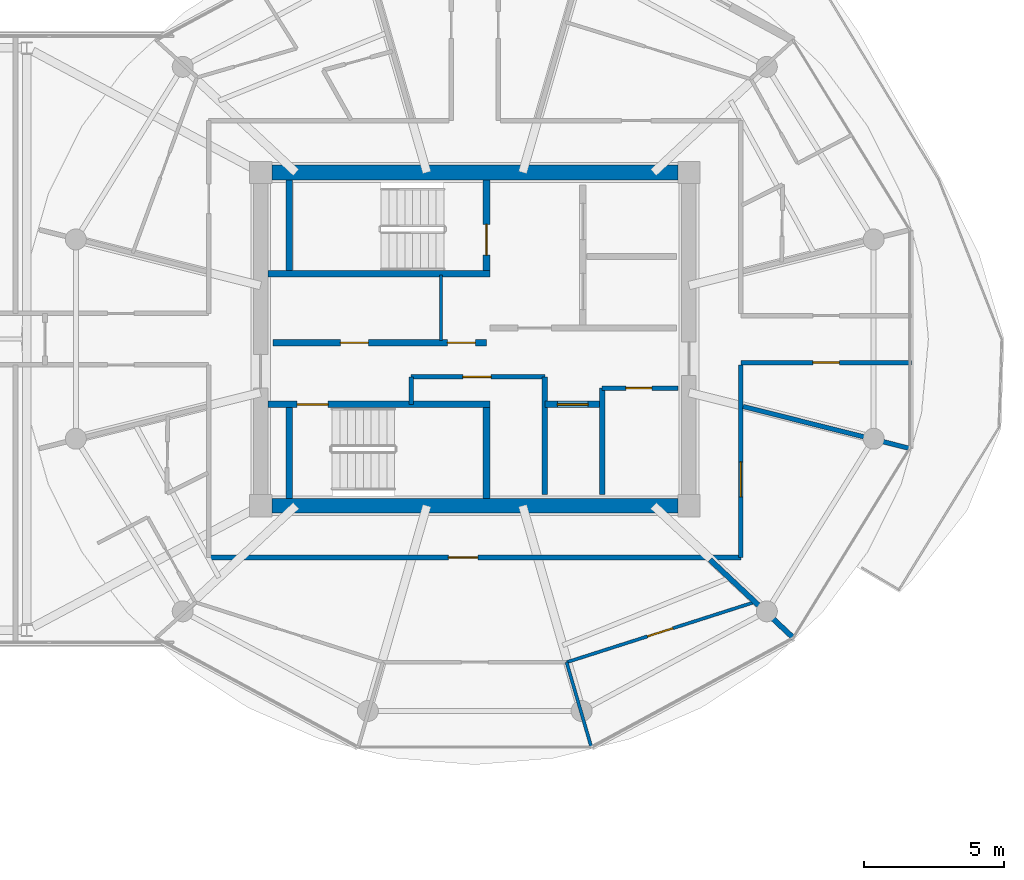
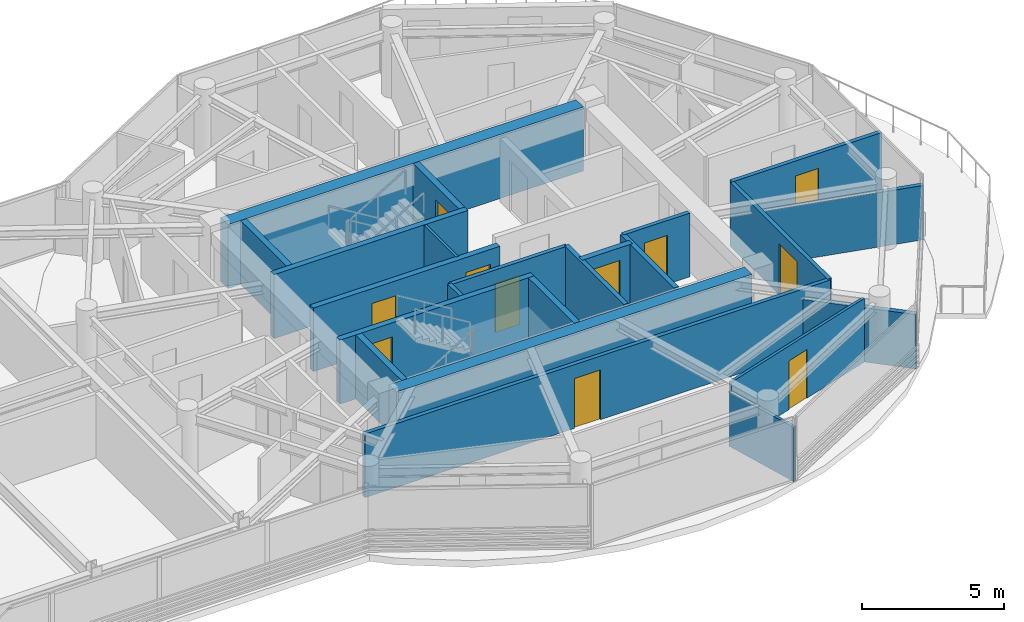
# One storey, part 17 of 23: 23 walls, 11 doors, 11 openings.
"""IFC4 building model written with IfcOpenShell, lengths in metres."""

from ifc_helpers import new_model, si_unit, direction, frame, frame_2d, origin, place, context, subcontext, project, spatial, rectangle, extrude, source, transform, mapped, material, layer, layer_set, type_object, type_shapes, element, fill, save


model = new_model("IFC4")

# Units and contexts
model_context = context("Model", 3, precision=1e-05, world=origin(), true_north=direction((0.0, 1.0)))
body_context = subcontext(model_context, "Body", "Model", "MODEL_VIEW")
ifc_project = project(units=[si_unit("LENGTHUNIT", "METRE"), si_unit("AREAUNIT", "SQUARE_METRE"), si_unit("VOLUMEUNIT", "CUBIC_METRE"), si_unit("PLANEANGLEUNIT", "RADIAN"), si_unit("MASSUNIT", "GRAM", prefix="KILO")], contexts=[model_context])

# Site, building, storey
site_placement = place(None, origin())
site = spatial("IfcSite", under=ifc_project, at=site_placement, CompositionType="ELEMENT")
building_placement = place(site_placement, origin())
building = spatial("IfcBuilding", under=site, at=building_placement, Name="Norrkilde Senior Care Towers", CompositionType="ELEMENT")
storey_placement = place(building_placement, frame((0.0, 0.0, 216.949951171875)))
storey = spatial("IfcBuildingStorey", under=building, at=storey_placement, Name="L67", CompositionType="ELEMENT", Elevation=216.949951171875)

# Walls
ifc_material_1 = material(Name="Concrete C50/60", Category="concrete")
ifc_layer_1 = layer(ifc_material_1, 0.52001953125)
ifc_layer_set_1 = layer_set([ifc_layer_1], Name="Concrete C50/60")
wall_type_1 = type_object("IfcWallType", Name="Core Shear Wall Z4 520", PredefinedType="SHEAR", material=ifc_layer_set_1)
shared_shape_1 = source(origin(), body_context, "Body", "SweptSolid", [
    extrude(rectangle(XDim=14.5, YDim=0.52001953125, at=frame_2d((7.25, 0.0))), origin(), (0.0, 0.0, 1.0), 2.760009765625),
])
type_shapes(wall_type_1, [shared_shape_1])
for number, where, z_axis, x_axis, name in (
    (1, (20.75, 5.949951171875, 0.0), (0.0, 0.0, 1.0), (1.0, 0.0, 0.0), "L67 Core E North Shear Wall"),
    (2, (35.25, -5.949951171875, 0.0), (0.0, 0.0, 1.0), (-1.0, 0.0, 0.0), "L67 Core E South Shear Wall"),
):
    element("IfcWall", number, at=place(storey_placement, frame(where, z_axis=z_axis, x_axis=x_axis)), inside=storey, type_object=wall_type_1, Name=name, PredefinedType="SHEAR", context=body_context, shape_type="MappedRepresentation", body=[
        mapped(shared_shape_1, transform((0.0, 0.0, 0.0), x_axis=(1.0, 0.0, 0.0), y_axis=(0.0, 1.0, 0.0), z_axis=(0.0, 0.0, 1.0), scale=1.0)),
    ])
ifc_material_2 = material(Name="Concrete C45/55", Category="concrete")
ifc_layer_2 = layer(ifc_material_2, 0.239990234375)
ifc_layer_set_2 = layer_set([ifc_layer_2], Name="Concrete C45/55")
wall_type_2 = type_object("IfcWallType", Name="Shaft and Stair Enclosure Wall 240", PredefinedType="PARTITIONING", material=ifc_layer_set_2)
shared_shape_2 = source(origin(), body_context, "Body", "SweptSolid", [
    extrude(rectangle(XDim=7.929931640625, YDim=0.239990234375, at=frame_2d((3.96484375, 0.0))), origin(), (0.0, 0.0, 1.0), 2.760009765625),
])
wall_1_placement = place(storey_placement, frame((20.610107421875, 2.330078125, 0.0), z_axis=(0.0, 0.0, 1.0), x_axis=(1.0, 0.0, 0.0)))
element("IfcWall", 3, at=wall_1_placement, inside=storey, type_object=wall_type_2, Name="WL-INT-L67-E-ST1S", PredefinedType="PARTITIONING", context=body_context, shape_type="MappedRepresentation", body=[
    mapped(shared_shape_2, transform((0.0, 0.0, 0.0), x_axis=(1.0, 0.0, 0.0), y_axis=(0.0, 1.0, 0.0), z_axis=(0.0, 0.0, 1.0), scale=1.0)),
])

# Wall, opening, door
wall_2_placement = place(storey_placement, frame((20.610107421875, -2.330078125, 0.0), z_axis=(0.0, 0.0, 1.0), x_axis=(1.0, 0.0, 0.0)))
wall_2 = element("IfcWall", 4, at=wall_2_placement, inside=storey, type_object=wall_type_2, Name="WL-INT-L67-E-ST2N", PredefinedType="PARTITIONING", context=body_context, shape_type="MappedRepresentation", body=[
    mapped(shared_shape_2, transform((0.0, 0.0, 0.0), x_axis=(1.0, 0.0, 0.0), y_axis=(0.0, 1.0, 0.0), z_axis=(0.0, 0.0, 1.0), scale=1.0)),
])
opening_1_placement = place(wall_2_placement, frame((1.050048828125, 0.0, 0.0)))
opening_1 = element("IfcOpeningElement", 5, at=opening_1_placement, cuts=wall_2, Name="Opening D-03", PredefinedType="OPENING", context=body_context, shape_type="SweptSolid", body=[
    extrude(rectangle(XDim=1.10009765625, YDim=2.14990234375, at=frame_2d((0.550048828125, 1.074951171875))), frame((0.0, 0.1298828125, 0.0), z_axis=(0.0, -1.0, 0.0), x_axis=(1.0, 0.0, 0.0)), (0.0, 0.0, 1.0), 0.260009765625),
])
ifc_material_3 = material(Name="Galvanised Painted Steel", Category="steel")
door_type_1 = type_object("IfcDoorType", Name="Stairwell Protected Fire Door 1100x2150", OperationType="NOTDEFINED", PredefinedType="DOOR", material=ifc_material_3)
shared_shape_3 = source(origin(), body_context, "Body", "SweptSolid", [
    extrude(rectangle(XDim=1.10009765625, YDim=2.14990234375, at=frame_2d((0.550048828125, 1.074951171875))), frame((0.0, 0.02490234375, 0.0), z_axis=(0.0, -1.0, 0.0), x_axis=(1.0, 0.0, 0.0)), (0.0, 0.0, 1.0), 0.050048828125),
])
type_shapes(door_type_1, [shared_shape_3])
door_1_placement = place(opening_1_placement, frame((1.10009765625, 0.0, 0.0), z_axis=(0.0, 0.0, 1.0), x_axis=(-1.0, 0.0, 0.0)))
door_1 = element("IfcDoor", 6, at=door_1_placement, inside=storey, type_object=door_type_1, Name="L67 Stair E2 Fire Door", OperationType="SINGLE_SWING_RIGHT", OverallHeight=2.14990234375, OverallWidth=1.10009765625, PredefinedType="DOOR", context=body_context, shape_type="MappedRepresentation", body=[
    mapped(shared_shape_3, transform((0.0, 0.0, 0.0), x_axis=(1.0, 0.0, 0.0), y_axis=(0.0, 1.0, 0.0), z_axis=(0.0, 0.0, 1.0), scale=1.0)),
])
fill(opening_1, door_1)

# Wall
shared_shape_4 = source(origin(), body_context, "Body", "SweptSolid", [
    extrude(rectangle(XDim=3.239990234375, YDim=0.239990234375, at=frame_2d((1.6201171875, 0.0))), origin(), (0.0, 0.0, 1.0), 2.760009765625),
])
type_shapes(wall_type_2, [shared_shape_2, shared_shape_4])
wall_3_placement = place(storey_placement, frame((21.3798828125, 2.449951171875, 0.0), z_axis=(0.0, 0.0, 1.0), x_axis=(0.0, 1.0, 0.0)))
element("IfcWall", 7, at=wall_3_placement, inside=storey, type_object=wall_type_2, Name="WL-INT-L67-E-ST1W", PredefinedType="PARTITIONING", context=body_context, shape_type="MappedRepresentation", body=[
    mapped(shared_shape_4, transform((0.0, 0.0, 0.0), x_axis=(1.0, 0.0, 0.0), y_axis=(0.0, 1.0, 0.0), z_axis=(0.0, 0.0, 1.0), scale=1.0)),
])

# Wall, opening, door
wall_4_placement = place(storey_placement, frame((28.419921875, 2.449951171875, 0.0), z_axis=(0.0, 0.0, 1.0), x_axis=(0.0, 1.0, 0.0)))
wall_4 = element("IfcWall", 8, at=wall_4_placement, inside=storey, type_object=wall_type_2, Name="WL-INT-L67-E-ST1E", PredefinedType="PARTITIONING", context=body_context, shape_type="MappedRepresentation", body=[
    mapped(shared_shape_4, transform((0.0, 0.0, 0.0), x_axis=(1.0, 0.0, 0.0), y_axis=(0.0, 1.0, 0.0), z_axis=(0.0, 0.0, 1.0), scale=1.0)),
])
opening_2_placement = place(wall_4_placement, frame((0.550048828125, 0.0, 0.0)))
opening_2 = element("IfcOpeningElement", 9, at=opening_2_placement, cuts=wall_4, Name="Opening D-03", PredefinedType="OPENING", context=body_context, shape_type="SweptSolid", body=[
    extrude(rectangle(XDim=1.10009765625, YDim=2.14990234375, at=frame_2d((0.550048828125, 1.074951171875))), frame((0.0, 0.1298828125, 0.0), z_axis=(0.0, -1.0, 0.0), x_axis=(1.0, 0.0, 0.0)), (0.0, 0.0, 1.0), 0.260009765625),
])
door_2_placement = place(opening_2_placement, origin())
door_2 = element("IfcDoor", 10, at=door_2_placement, inside=storey, type_object=door_type_1, Name="L67 Stair E1 Fire Door", OperationType="SINGLE_SWING_LEFT", OverallHeight=2.14990234375, OverallWidth=1.10009765625, PredefinedType="DOOR", context=body_context, shape_type="MappedRepresentation", body=[
    mapped(shared_shape_3, transform((0.0, 0.0, 0.0), x_axis=(1.0, 0.0, 0.0), y_axis=(0.0, 1.0, 0.0), z_axis=(0.0, 0.0, 1.0), scale=1.0)),
])
fill(opening_2, door_2)

# Walls
for number, where, z_axis, x_axis, name in (
    (11, (21.3798828125, -5.68994140625, 0.0), (0.0, 0.0, 1.0), (0.0, 1.0, 0.0), "WL-INT-L67-E-ST2W"),
    (12, (28.419921875, -5.68994140625, 0.0), (0.0, 0.0, 1.0), (0.0, 1.0, 0.0), "WL-INT-L67-E-ST2E"),
):
    element("IfcWall", number, at=place(storey_placement, frame(where, z_axis=z_axis, x_axis=x_axis)), inside=storey, type_object=wall_type_2, Name=name, PredefinedType="PARTITIONING", context=body_context, shape_type="MappedRepresentation", body=[
        mapped(shared_shape_4, transform((0.0, 0.0, 0.0), x_axis=(1.0, 0.0, 0.0), y_axis=(0.0, 1.0, 0.0), z_axis=(0.0, 0.0, 1.0), scale=1.0)),
    ])

# Wall, openings, doors
ifc_layer_3 = layer(ifc_material_2, 0.239990234375)
ifc_layer_set_3 = layer_set([ifc_layer_3], Name="Concrete C45/55")
wall_type_3 = type_object("IfcWallType", Name="Lift and Plant Rated Enclosure Partition 240", PredefinedType="PARTITIONING", material=ifc_layer_set_3)
shared_shape_5 = source(origin(), body_context, "Body", "SweptSolid", [
    extrude(rectangle(XDim=7.619873046875, YDim=0.239990234375, at=frame_2d((3.81005859375, 0.0))), origin(), (0.0, 0.0, 1.0), 2.7451171875),
])
wall_5_placement = place(storey_placement, frame((20.800048828125, -0.1298828125, 0.0), z_axis=(0.0, 0.0, 1.0), x_axis=(1.0, 0.0, 0.0)))
wall_5 = element("IfcWall", 13, at=wall_5_placement, inside=storey, type_object=wall_type_3, Name="WL-INT-L67-E-PKAS", PredefinedType="PARTITIONING", context=body_context, shape_type="MappedRepresentation", body=[
    mapped(shared_shape_5, transform((0.0, 0.0, 0.0), x_axis=(1.0, 0.0, 0.0), y_axis=(0.0, 1.0, 0.0), z_axis=(0.0, 0.0, 1.0), scale=1.0)),
])
opening_3_placement = place(wall_5_placement, frame((6.219970703125, 0.0, 0.0)))
opening_3 = element("IfcOpeningElement", 14, at=opening_3_placement, cuts=wall_5, Name="Opening D-10", PredefinedType="OPENING", context=body_context, shape_type="SweptSolid", body=[
    extrude(rectangle(XDim=1.0, YDim=2.10009765625, at=frame_2d((0.5, 1.050048828125))), frame((0.0, 0.1298828125, 0.0), z_axis=(0.0, -1.0, 0.0), x_axis=(1.0, 0.0, 0.0)), (0.0, 0.0, 1.0), 0.260009765625),
])
opening_4_placement = place(wall_5_placement, frame((2.39990234375, 0.0, 0.0)))
opening_4 = element("IfcOpeningElement", 15, at=opening_4_placement, cuts=wall_5, Name="Opening D-10", PredefinedType="OPENING", context=body_context, shape_type="SweptSolid", body=[
    extrude(rectangle(XDim=1.0, YDim=2.10009765625, at=frame_2d((0.5, 1.050048828125))), frame((0.0, 0.1298828125, 0.0), z_axis=(0.0, -1.0, 0.0), x_axis=(1.0, 0.0, 0.0)), (0.0, 0.0, 1.0), 0.260009765625),
])
door_type_2 = type_object("IfcDoorType", Name="Plant and Riser Rated Door 1000x2100", OperationType="NOTDEFINED", PredefinedType="DOOR", material=ifc_material_3)
shared_shape_6 = source(origin(), body_context, "Body", "SweptSolid", [
    extrude(rectangle(XDim=1.0, YDim=2.10009765625, at=frame_2d((0.5, 1.050048828125))), frame((0.0, 0.02490234375, 0.0), z_axis=(0.0, -1.0, 0.0), x_axis=(1.0, 0.0, 0.0)), (0.0, 0.0, 1.0), 0.050048828125),
])
type_shapes(door_type_2, [shared_shape_6])
door_3_placement = place(opening_3_placement, frame((1.0, 0.0, 0.0), z_axis=(0.0, 0.0, 1.0), x_axis=(-1.0, 0.0, 0.0)))
door_3 = element("IfcDoor", 16, at=door_3_placement, inside=storey, type_object=door_type_2, Name="L67 Electrical Riser E Door", OperationType="SINGLE_SWING_LEFT", OverallHeight=2.10009765625, OverallWidth=1.0, PredefinedType="DOOR", context=body_context, shape_type="MappedRepresentation", body=[
    mapped(shared_shape_6, transform((0.0, 0.0, 0.0), x_axis=(1.0, 0.0, 0.0), y_axis=(0.0, 1.0, 0.0), z_axis=(0.0, 0.0, 1.0), scale=1.0)),
])
fill(opening_3, door_3)
door_4_placement = place(opening_4_placement, frame((1.0, 0.0, 0.0), z_axis=(0.0, 0.0, 1.0), x_axis=(-1.0, 0.0, 0.0)))
door_4 = element("IfcDoor", 17, at=door_4_placement, inside=storey, type_object=door_type_2, Name="L67 Clean Supply Store E Door", OperationType="SINGLE_SWING_LEFT", OverallHeight=2.10009765625, OverallWidth=1.0, PredefinedType="DOOR", context=body_context, shape_type="MappedRepresentation", body=[
    mapped(shared_shape_6, transform((0.0, 0.0, 0.0), x_axis=(1.0, 0.0, 0.0), y_axis=(0.0, 1.0, 0.0), z_axis=(0.0, 0.0, 1.0), scale=1.0)),
])
fill(opening_4, door_4)

# Walls
ifc_material_4 = material(Name="Gypsum Acoustic Board")
ifc_layer_4 = layer(ifc_material_4, 0.114990234375)
ifc_layer_set_4 = layer_set([ifc_layer_4], Name="Gypsum Acoustic Board")
wall_type_4 = type_object("IfcWallType", Name="Internal Room Partition 115", PredefinedType="PARTITIONING", material=ifc_layer_set_4)
shared_shape_7 = source(origin(), body_context, "Body", "SweptSolid", [
    extrude(rectangle(XDim=2.330078125, YDim=0.114990234375, at=frame_2d((1.1650390625, 0.0))), origin(), (0.0, 0.0, 1.0), 2.7451171875),
])
wall_6_placement = place(storey_placement, frame((26.7900390625, -0.050048828125, 0.0), z_axis=(0.0, 0.0, 1.0), x_axis=(0.0, 1.0, 0.0)))
element("IfcWall", 18, at=wall_6_placement, inside=storey, type_object=wall_type_4, Name="WL-INT-L67-E-RISW", PredefinedType="PARTITIONING", context=body_context, shape_type="MappedRepresentation", body=[
    mapped(shared_shape_7, transform((0.0, 0.0, 0.0), x_axis=(1.0, 0.0, 0.0), y_axis=(0.0, 1.0, 0.0), z_axis=(0.0, 0.0, 1.0), scale=1.0)),
])
ifc_layer_5 = layer(ifc_material_2, 0.199951171875)
ifc_layer_set_5 = layer_set([ifc_layer_5], Name="Concrete C45/55")
wall_type_5 = type_object("IfcWallType", Name="Shaft Division and Plant Partition 200", PredefinedType="PARTITIONING", material=ifc_layer_set_5)
shared_shape_8 = source(origin(), body_context, "Body", "SweptSolid", [
    extrude(rectangle(XDim=3.800048828125, YDim=0.199951171875, at=frame_2d((1.89990234375, 0.0))), origin(), (0.0, 0.0, 1.0), 2.7451171875),
])
type_shapes(wall_type_5, [shared_shape_8])
wall_7_placement = place(storey_placement, frame((32.550048828125, -5.550048828125, 0.0), z_axis=(0.0, 0.0, 1.0), x_axis=(0.0, 1.0, 0.0)))
element("IfcWall", 19, at=wall_7_placement, inside=storey, type_object=wall_type_5, Name="WL-INT-L67-E-PKBE", PredefinedType="PARTITIONING", context=body_context, shape_type="MappedRepresentation", body=[
    mapped(shared_shape_8, transform((0.0, 0.0, 0.0), x_axis=(1.0, 0.0, 0.0), y_axis=(0.0, 1.0, 0.0), z_axis=(0.0, 0.0, 1.0), scale=1.0)),
])

# Wall, opening, door
shared_shape_9 = source(origin(), body_context, "Body", "SweptSolid", [
    extrude(rectangle(XDim=2.050048828125, YDim=0.239990234375, at=frame_2d((1.02490234375, 0.0))), origin(), (0.0, 0.0, 1.0), 2.7451171875),
])
type_shapes(wall_type_3, [shared_shape_5, shared_shape_9])
wall_8_placement = place(storey_placement, frame((30.5, -2.330078125, 0.0), z_axis=(0.0, 0.0, 1.0), x_axis=(1.0, 0.0, 0.0)))
wall_8 = element("IfcWall", 20, at=wall_8_placement, inside=storey, type_object=wall_type_3, Name="WL-INT-L67-E-PL4N", PredefinedType="PARTITIONING", context=body_context, shape_type="MappedRepresentation", body=[
    mapped(shared_shape_9, transform((0.0, 0.0, 0.0), x_axis=(1.0, 0.0, 0.0), y_axis=(0.0, 1.0, 0.0), z_axis=(0.0, 0.0, 1.0), scale=1.0)),
])
opening_5_placement = place(wall_8_placement, frame((0.449951171875, 0.0, 0.0)))
opening_5 = element("IfcOpeningElement", 21, at=opening_5_placement, cuts=wall_8, Name="Opening LD-01", PredefinedType="OPENING", context=body_context, shape_type="SweptSolid", body=[
    extrude(rectangle(XDim=1.10009765625, YDim=2.199951171875, at=frame_2d((0.550048828125, 1.10009765625))), frame((0.0, 0.1298828125, 0.0), z_axis=(0.0, -1.0, 0.0), x_axis=(1.0, 0.0, 0.0)), (0.0, 0.0, 1.0), 0.260009765625),
])
ifc_material_5 = material(Name="Stainless Steel", Category="steel")
door_type_3 = type_object("IfcDoorType", Name="Lift Landing Sliding Door 1100x2200", OperationType="NOTDEFINED", PredefinedType="DOOR", material=ifc_material_5)
shared_shape_10 = source(origin(), body_context, "Body", "SweptSolid", [
    extrude(rectangle(XDim=1.10009765625, YDim=2.199951171875, at=frame_2d((0.550048828125, 1.10009765625))), frame((0.0, 0.02490234375, 0.0), z_axis=(0.0, -1.0, 0.0), x_axis=(1.0, 0.0, 0.0)), (0.0, 0.0, 1.0), 0.050048828125),
])
type_shapes(door_type_3, [shared_shape_10])
door_5_placement = place(opening_5_placement, frame((1.10009765625, 0.0, 0.0), z_axis=(0.0, 0.0, 1.0), x_axis=(-1.0, 0.0, 0.0)))
door_5 = element("IfcDoor", 22, at=door_5_placement, inside=storey, type_object=door_type_3, Name="L67 Passenger Lift E4 Landing Door", OperationType="SLIDING_TO_RIGHT", OverallHeight=2.199951171875, OverallWidth=1.10009765625, PredefinedType="DOOR", context=body_context, shape_type="MappedRepresentation", body=[
    mapped(shared_shape_10, transform((0.0, 0.0, 0.0), x_axis=(1.0, 0.0, 0.0), y_axis=(0.0, 1.0, 0.0), z_axis=(0.0, 0.0, 1.0), scale=1.0)),
])
fill(opening_5, door_5)

# Wall
ifc_layer_6 = layer(ifc_material_2, 0.179931640625)
ifc_layer_set_6 = layer_set([ifc_layer_6], Name="Concrete C45/55")
wall_type_6 = type_object("IfcWallType", Name="Hoistway Division Rated Partition 180", PredefinedType="PARTITIONING", material=ifc_layer_set_6)
shared_shape_11 = source(origin(), body_context, "Body", "SweptSolid", [
    extrude(rectangle(XDim=4.199951171875, YDim=0.179931640625, at=frame_2d((2.10009765625, 0.0))), origin(), (0.0, 0.0, 1.0), 2.7451171875),
])
type_shapes(wall_type_6, [shared_shape_11])
wall_9_placement = place(storey_placement, frame((30.5, -5.550048828125, 0.0), z_axis=(0.0, 0.0, 1.0), x_axis=(0.0, 1.0, 0.0)))
element("IfcWall", 23, at=wall_9_placement, inside=storey, type_object=wall_type_6, Name="WL-INT-L67-E-PL4W", PredefinedType="PARTITIONING", context=body_context, shape_type="MappedRepresentation", body=[
    mapped(shared_shape_11, transform((0.0, 0.0, 0.0), x_axis=(1.0, 0.0, 0.0), y_axis=(0.0, 1.0, 0.0), z_axis=(0.0, 0.0, 1.0), scale=1.0)),
])

# Wall, opening, door
ifc_layer_7 = layer(ifc_material_4, 0.1650390625)
ifc_layer_set_7 = layer_set([ifc_layer_7], Name="Gypsum Acoustic Board")
wall_type_7 = type_object("IfcWallType", Name="Corridor Rated Partition 165", PredefinedType="PARTITIONING", material=ifc_layer_set_7)
shared_shape_12 = source(origin(), body_context, "Body", "SweptSolid", [
    extrude(rectangle(XDim=4.77001953125, YDim=0.1650390625, at=frame_2d((2.385009765625, 0.0))), origin(), (0.0, 0.0, 1.0), 2.7451171875),
])
wall_10_placement = place(storey_placement, frame((25.72998046875, -1.35009765625, 0.0), z_axis=(0.0, 0.0, 1.0), x_axis=(1.0, 0.0, 0.0)))
wall_10 = element("IfcWall", 24, at=wall_10_placement, inside=storey, type_object=wall_type_7, Name="WL-INT-L67-E-FR2N", PredefinedType="PARTITIONING", context=body_context, shape_type="MappedRepresentation", body=[
    mapped(shared_shape_12, transform((0.0, 0.0, 0.0), x_axis=(1.0, 0.0, 0.0), y_axis=(0.0, 1.0, 0.0), z_axis=(0.0, 0.0, 1.0), scale=1.0)),
])
opening_6_placement = place(wall_10_placement, frame((1.85009765625, 0.0, 0.0)))
opening_6 = element("IfcOpeningElement", 25, at=opening_6_placement, cuts=wall_10, Name="Opening D-10", PredefinedType="OPENING", context=body_context, shape_type="SweptSolid", body=[
    extrude(rectangle(XDim=1.0, YDim=2.10009765625, at=frame_2d((0.5, 1.050048828125))), frame((0.0, 0.092529296875, 0.0), z_axis=(0.0, -1.0, 0.0), x_axis=(1.0, 0.0, 0.0)), (0.0, 0.0, 1.0), 0.18505859375),
])
door_6_placement = place(opening_6_placement, origin())
door_6 = element("IfcDoor", 26, at=door_6_placement, inside=storey, type_object=door_type_2, Name="L67 Core Pantry E Door", OperationType="SINGLE_SWING_RIGHT", OverallHeight=2.10009765625, OverallWidth=1.0, PredefinedType="DOOR", context=body_context, shape_type="MappedRepresentation", body=[
    mapped(shared_shape_6, transform((0.0, 0.0, 0.0), x_axis=(1.0, 0.0, 0.0), y_axis=(0.0, 1.0, 0.0), z_axis=(0.0, 0.0, 1.0), scale=1.0)),
])
fill(opening_6, door_6)

# Wall
shared_shape_13 = source(origin(), body_context, "Body", "SweptSolid", [
    extrude(rectangle(XDim=0.97998046875, YDim=0.1650390625, at=frame_2d((0.489990234375, 0.0))), origin(), (0.0, 0.0, 1.0), 2.7451171875),
])
wall_11_placement = place(storey_placement, frame((25.72998046875, -2.330078125, 0.0), z_axis=(0.0, 0.0, 1.0), x_axis=(0.0, 1.0, 0.0)))
element("IfcWall", 27, at=wall_11_placement, inside=storey, type_object=wall_type_7, Name="WL-INT-L67-E-FR2W", PredefinedType="PARTITIONING", context=body_context, shape_type="MappedRepresentation", body=[
    mapped(shared_shape_13, transform((0.0, 0.0, 0.0), x_axis=(1.0, 0.0, 0.0), y_axis=(0.0, 1.0, 0.0), z_axis=(0.0, 0.0, 1.0), scale=1.0)),
])

# Wall, opening, door
shared_shape_14 = source(origin(), body_context, "Body", "SweptSolid", [
    extrude(rectangle(XDim=2.699951171875, YDim=0.1650390625, at=frame_2d((1.35009765625, 0.0))), origin(), (0.0, 0.0, 1.0), 2.7451171875),
])
wall_12_placement = place(storey_placement, frame((32.550048828125, -1.75, 0.0), z_axis=(0.0, 0.0, 1.0), x_axis=(1.0, 0.0, 0.0)))
wall_12 = element("IfcWall", 28, at=wall_12_placement, inside=storey, type_object=wall_type_7, Name="WL-INT-L67-E-CSN", PredefinedType="PARTITIONING", context=body_context, shape_type="MappedRepresentation", body=[
    mapped(shared_shape_14, transform((0.0, 0.0, 0.0), x_axis=(1.0, 0.0, 0.0), y_axis=(0.0, 1.0, 0.0), z_axis=(0.0, 0.0, 1.0), scale=1.0)),
])
opening_7_placement = place(wall_12_placement, frame((0.85009765625, 0.0, 0.0)))
opening_7 = element("IfcOpeningElement", 29, at=opening_7_placement, cuts=wall_12, Name="Opening D-12", PredefinedType="OPENING", context=body_context, shape_type="SweptSolid", body=[
    extrude(rectangle(XDim=0.925048828125, YDim=2.10009765625, at=frame_2d((0.46240234375, 1.050048828125))), frame((0.0, 0.092529296875, 0.0), z_axis=(0.0, -1.0, 0.0), x_axis=(1.0, 0.0, 0.0)), (0.0, 0.0, 1.0), 0.18505859375),
])
door_type_4 = type_object("IfcDoorType", Name="Core Wet Room Rated Door 925x2100", OperationType="NOTDEFINED", PredefinedType="DOOR", material=ifc_material_3)
shared_shape_15 = source(origin(), body_context, "Body", "SweptSolid", [
    extrude(rectangle(XDim=0.925048828125, YDim=2.10009765625, at=frame_2d((0.46240234375, 1.050048828125))), frame((0.0, 0.02490234375, 0.0), z_axis=(0.0, -1.0, 0.0), x_axis=(1.0, 0.0, 0.0)), (0.0, 0.0, 1.0), 0.050048828125),
])
type_shapes(door_type_4, [shared_shape_15])
door_7_placement = place(opening_7_placement, origin())
door_7 = element("IfcDoor", 30, at=door_7_placement, inside=storey, type_object=door_type_4, Name="L67 Core Utility E Door", OperationType="SINGLE_SWING_LEFT", OverallHeight=2.10009765625, OverallWidth=0.925048828125, PredefinedType="DOOR", context=body_context, shape_type="MappedRepresentation", body=[
    mapped(shared_shape_15, transform((0.0, 0.0, 0.0), x_axis=(1.0, 0.0, 0.0), y_axis=(0.0, 1.0, 0.0), z_axis=(0.0, 0.0, 1.0), scale=1.0)),
])
fill(opening_7, door_7)

shared_shape_16 = source(origin(), body_context, "Body", "SweptSolid", [
    extrude(rectangle(XDim=19.0, YDim=0.1650390625, at=frame_2d((9.5, 0.0))), origin(), (0.0, 0.0, 1.0), 2.7451171875),
])
wall_13_placement = place(storey_placement, frame((37.5, -7.800048828125, 0.0), z_axis=(0.0, 0.0, 1.0), x_axis=(-1.0, 0.0, 0.0)))
wall_13 = element("IfcWall", 31, at=wall_13_placement, inside=storey, type_object=wall_type_7, Name="WL-INT-L67-E-CRW-S-0", PredefinedType="PARTITIONING", context=body_context, shape_type="MappedRepresentation", body=[
    mapped(shared_shape_16, transform((0.0, 0.0, 0.0), x_axis=(1.0, 0.0, 0.0), y_axis=(0.0, 1.0, 0.0), z_axis=(0.0, 0.0, 1.0), scale=1.0)),
])
opening_8_placement = place(wall_13_placement, frame((9.39208984375, 0.0, 0.0)))
opening_8 = element("IfcOpeningElement", 32, at=opening_8_placement, cuts=wall_13, Name="Opening D-06", PredefinedType="OPENING", context=body_context, shape_type="SweptSolid", body=[
    extrude(rectangle(XDim=1.050048828125, YDim=2.14990234375, at=frame_2d((0.52490234375, 1.074951171875))), frame((0.0, 0.092529296875, 0.0), z_axis=(0.0, -1.0, 0.0), x_axis=(1.0, 0.0, 0.0)), (0.0, 0.0, 1.0), 0.18505859375),
])
ifc_material_6 = material(Name="Nordic Ash Timber", Category="wood")
door_type_5 = type_object("IfcDoorType", Name="Apartment Entrance Fire Door 1050x2150", OperationType="NOTDEFINED", PredefinedType="DOOR", material=ifc_material_6)
shared_shape_17 = source(origin(), body_context, "Body", "SweptSolid", [
    extrude(rectangle(XDim=1.050048828125, YDim=2.14990234375, at=frame_2d((0.52490234375, 1.074951171875))), frame((0.0, 0.02490234375, 0.0), z_axis=(0.0, -1.0, 0.0), x_axis=(1.0, 0.0, 0.0)), (0.0, 0.0, 1.0), 0.050048828125),
])
type_shapes(door_type_5, [shared_shape_17])
door_8_placement = place(opening_8_placement, frame((1.050048828125, 0.0, 0.0), z_axis=(0.0, 0.0, 1.0), x_axis=(-1.0, 0.0, 0.0)))
door_8 = element("IfcDoor", 33, at=door_8_placement, inside=storey, type_object=door_type_5, Name="Apartment 67C Entrance Door", OperationType="SINGLE_SWING_LEFT", OverallHeight=2.14990234375, OverallWidth=1.050048828125, PredefinedType="DOOR", context=body_context, shape_type="MappedRepresentation", body=[
    mapped(shared_shape_17, transform((0.0, 0.0, 0.0), x_axis=(1.0, 0.0, 0.0), y_axis=(0.0, 1.0, 0.0), z_axis=(0.0, 0.0, 1.0), scale=1.0)),
])
fill(opening_8, door_8)

shared_shape_18 = source(origin(), body_context, "Body", "SweptSolid", [
    extrude(rectangle(XDim=6.880126953125, YDim=0.1650390625, at=frame_2d((3.43994140625, 0.0))), origin(), (0.0, 0.0, 1.0), 2.7451171875),
])
wall_14_placement = place(storey_placement, frame((37.5, -0.919921875, 0.0), z_axis=(0.0, 0.0, 1.0), x_axis=(0.0, -1.0, 0.0)))
wall_14 = element("IfcWall", 34, at=wall_14_placement, inside=storey, type_object=wall_type_7, Name="WL-INT-L67-E-CRW-E-1", PredefinedType="PARTITIONING", context=body_context, shape_type="MappedRepresentation", body=[
    mapped(shared_shape_18, transform((0.0, 0.0, 0.0), x_axis=(1.0, 0.0, 0.0), y_axis=(0.0, 1.0, 0.0), z_axis=(0.0, 0.0, 1.0), scale=1.0)),
])
opening_9_placement = place(wall_14_placement, frame((3.46435546875, 0.0, 0.0)))
opening_9 = element("IfcOpeningElement", 35, at=opening_9_placement, cuts=wall_14, Name="Opening D-05", PredefinedType="OPENING", context=body_context, shape_type="SweptSolid", body=[
    extrude(rectangle(XDim=1.25, YDim=2.199951171875, at=frame_2d((0.625, 1.10009765625))), frame((0.0, 0.092529296875, 0.0), z_axis=(0.0, -1.0, 0.0), x_axis=(1.0, 0.0, 0.0)), (0.0, 0.0, 1.0), 0.18505859375),
])
door_type_6 = type_object("IfcDoorType", Name="Care Bedroom Bariatric Door 1250x2200", OperationType="NOTDEFINED", PredefinedType="DOOR", material=ifc_material_6)
shared_shape_19 = source(origin(), body_context, "Body", "SweptSolid", [
    extrude(rectangle(XDim=1.25, YDim=2.199951171875, at=frame_2d((0.625, 1.10009765625))), frame((0.0, 0.02490234375, 0.0), z_axis=(0.0, -1.0, 0.0), x_axis=(1.0, 0.0, 0.0)), (0.0, 0.0, 1.0), 0.050048828125),
])
type_shapes(door_type_6, [shared_shape_19])
door_9_placement = place(opening_9_placement, frame((1.25, 0.0, 0.0), z_axis=(0.0, 0.0, 1.0), x_axis=(-1.0, 0.0, 0.0)))
door_9 = element("IfcDoor", 36, at=door_9_placement, inside=storey, type_object=door_type_6, Name="L67 Care Coordination Charting Office Door", OperationType="SINGLE_SWING_LEFT", OverallHeight=2.199951171875, OverallWidth=1.25, PredefinedType="DOOR", context=body_context, shape_type="MappedRepresentation", body=[
    mapped(shared_shape_19, transform((0.0, 0.0, 0.0), x_axis=(1.0, 0.0, 0.0), y_axis=(0.0, 1.0, 0.0), z_axis=(0.0, 0.0, 1.0), scale=1.0)),
])
fill(opening_9, door_9)

# Wall
shared_shape_20 = source(origin(), body_context, "Body", "SweptSolid", [
    extrude(rectangle(XDim=6.1572265625, YDim=0.1650390625, at=frame_2d((3.07861328125, 0.0))), origin(), (0.0, 0.0, 1.0), 2.344970703125),
])
wall_15_placement = place(storey_placement, frame((37.580078125, -2.407470703125, 0.0), z_axis=(0.0, 0.0, 1.0), x_axis=(0.969840867184, -0.243738984038, 0.0)))
element("IfcWall", 37, at=wall_15_placement, inside=storey, type_object=wall_type_7, Name="WL-INT-L67-E-DEM-11-0", PredefinedType="PARTITIONING", context=body_context, shape_type="MappedRepresentation", body=[
    mapped(shared_shape_20, transform((0.0, 0.0, 0.0), x_axis=(1.0, 0.0, 0.0), y_axis=(0.0, 1.0, 0.0), z_axis=(0.0, 0.0, 1.0), scale=1.0)),
])

# Wall, opening, door
shared_shape_21 = source(origin(), body_context, "Body", "SweptSolid", [
    extrude(rectangle(XDim=6.101318359375, YDim=0.1650390625, at=frame_2d((3.05078125, 0.0))), origin(), (0.0, 0.0, 1.0), 2.7451171875),
])
type_shapes(wall_type_7, [shared_shape_12, shared_shape_13, shared_shape_14, shared_shape_16, shared_shape_18, shared_shape_20, shared_shape_21])
wall_16_placement = place(storey_placement, frame((43.601318359375, -0.840087890625, 0.0), z_axis=(0.0, 0.0, 1.0), x_axis=(-1.0, 0.0, 0.0)))
wall_16 = element("IfcWall", 38, at=wall_16_placement, inside=storey, type_object=wall_type_7, Name="WL-INT-L67-E-SPK-E2-0", PredefinedType="PARTITIONING", context=body_context, shape_type="MappedRepresentation", body=[
    mapped(shared_shape_21, transform((0.0, 0.0, 0.0), x_axis=(1.0, 0.0, 0.0), y_axis=(0.0, 1.0, 0.0), z_axis=(0.0, 0.0, 1.0), scale=1.0)),
])
opening_10_placement = place(wall_16_placement, frame((2.57568359375, 0.0, 0.0)))
opening_10 = element("IfcOpeningElement", 39, at=opening_10_placement, cuts=wall_16, Name="Opening D-07", PredefinedType="OPENING", context=body_context, shape_type="SweptSolid", body=[
    extrude(rectangle(XDim=0.949951171875, YDim=2.10009765625, at=frame_2d((0.47509765625, 1.050048828125))), frame((0.0, 0.092529296875, 0.0), z_axis=(0.0, -1.0, 0.0), x_axis=(1.0, 0.0, 0.0)), (0.0, 0.0, 1.0), 0.18505859375),
])
door_type_7 = type_object("IfcDoorType", Name="Internal Suite Bedroom Door 950x2100", OperationType="NOTDEFINED", PredefinedType="DOOR", material=ifc_material_6)
shared_shape_22 = source(origin(), body_context, "Body", "SweptSolid", [
    extrude(rectangle(XDim=0.949951171875, YDim=2.10009765625, at=frame_2d((0.47509765625, 1.050048828125))), frame((0.0, 0.02490234375, 0.0), z_axis=(0.0, -1.0, 0.0), x_axis=(1.0, 0.0, 0.0)), (0.0, 0.0, 1.0), 0.050048828125),
])
type_shapes(door_type_7, [shared_shape_22])
door_10_placement = place(opening_10_placement, frame((0.949951171875, 0.0, 0.0), z_axis=(0.0, 0.0, 1.0), x_axis=(-1.0, 0.0, 0.0)))
door_10 = element("IfcDoor", 40, at=door_10_placement, inside=storey, type_object=door_type_7, Name="L67 Sun Reading Lounge 5 Door", OperationType="SINGLE_SWING_RIGHT", OverallHeight=2.10009765625, OverallWidth=0.949951171875, PredefinedType="DOOR", context=body_context, shape_type="MappedRepresentation", body=[
    mapped(shared_shape_22, transform((0.0, 0.0, 0.0), x_axis=(1.0, 0.0, 0.0), y_axis=(0.0, 1.0, 0.0), z_axis=(0.0, 0.0, 1.0), scale=1.0)),
])
fill(opening_10, door_10)

# Wall
ifc_layer_8 = layer(ifc_material_4, 0.18994140625)
ifc_layer_set_8 = layer_set([ifc_layer_8], Name="Gypsum Acoustic Board")
wall_type_8 = type_object("IfcWallType", Name="Unit Demising Acoustic Wall 190", PredefinedType="PARTITIONING", material=ifc_layer_set_8)
shared_shape_23 = source(origin(), body_context, "Body", "SweptSolid", [
    extrude(rectangle(XDim=4.089111328125, YDim=0.18994140625, at=frame_2d((2.04443359375, 0.0))), origin(), (0.0, 0.0, 1.0), 2.344970703125),
])
type_shapes(wall_type_8, [shared_shape_23])
wall_17_placement = place(storey_placement, frame((36.40185546875, -7.8798828125, 0.0), z_axis=(0.0, 0.0, 1.0), x_axis=(0.729401273609, -0.684086092577, 0.0)))
element("IfcWall", 41, at=wall_17_placement, inside=storey, type_object=wall_type_8, Name="WL-INT-L67-E-DEM-10-0", PredefinedType="PARTITIONING", context=body_context, shape_type="MappedRepresentation", body=[
    mapped(shared_shape_23, transform((0.0, 0.0, 0.0), x_axis=(1.0, 0.0, 0.0), y_axis=(0.0, 1.0, 0.0), z_axis=(0.0, 0.0, 1.0), scale=1.0)),
])

# Wall, opening, door
shared_shape_24 = source(origin(), body_context, "Body", "SweptSolid", [
    extrude(rectangle(XDim=7.024169921875, YDim=0.114990234375, at=frame_2d((3.51220703125, 0.0))), origin(), (0.0, 0.0, 1.0), 2.7451171875),
])
wall_18_placement = place(storey_placement, frame((31.279541015625, -11.54150390625, 0.0), z_axis=(0.0, 0.0, 1.0), x_axis=(0.952454006655, 0.304682400552, 0.0)))
wall_18 = element("IfcWall", 42, at=wall_18_placement, inside=storey, type_object=wall_type_4, Name="WL-INT-L67-E-UBC-06-3", PredefinedType="PARTITIONING", context=body_context, shape_type="MappedRepresentation", body=[
    mapped(shared_shape_24, transform((0.0, 0.0, 0.0), x_axis=(1.0, 0.0, 0.0), y_axis=(0.0, 1.0, 0.0), z_axis=(0.0, 0.0, 1.0), scale=1.0)),
])
opening_11_placement = place(wall_18_placement, frame((3.037109375, 0.0, 0.0)))
opening_11 = element("IfcOpeningElement", 43, at=opening_11_placement, cuts=wall_18, Name="Opening D-07", PredefinedType="OPENING", context=body_context, shape_type="SweptSolid", body=[
    extrude(rectangle(XDim=0.949951171875, YDim=2.10009765625, at=frame_2d((0.47509765625, 1.050048828125))), frame((0.0, 0.0673828125, 0.0), z_axis=(0.0, -1.0, 0.0), x_axis=(1.0, 0.0, 0.0)), (0.0, 0.0, 1.0), 0.135009765625),
])
door_11_placement = place(opening_11_placement, origin())
door_11 = element("IfcDoor", 44, at=door_11_placement, inside=storey, type_object=door_type_7, Name="Apartment 67C Bedroom 3 Door", OperationType="SINGLE_SWING_RIGHT", OverallHeight=2.10009765625, OverallWidth=0.949951171875, PredefinedType="DOOR", context=body_context, shape_type="MappedRepresentation", body=[
    mapped(shared_shape_22, transform((0.0, 0.0, 0.0), x_axis=(1.0, 0.0, 0.0), y_axis=(0.0, 1.0, 0.0), z_axis=(0.0, 0.0, 1.0), scale=1.0)),
])
fill(opening_11, door_11)

# Wall
shared_shape_25 = source(origin(), body_context, "Body", "SweptSolid", [
    extrude(rectangle(XDim=3.170654296875, YDim=0.114990234375, at=frame_2d((1.58544921875, 0.0))), origin(), (0.0, 0.0, 1.0), 2.344970703125),
])
type_shapes(wall_type_4, [shared_shape_7, shared_shape_24, shared_shape_25])
wall_19_placement = place(storey_placement, frame((31.279541015625, -11.54150390625, 0.0), z_axis=(0.0, 0.0, 1.0), x_axis=(0.279893554029, -0.960031040338, 0.0)))
element("IfcWall", 45, at=wall_19_placement, inside=storey, type_object=wall_type_4, Name="WL-INT-L67-E-UBR-06-3", PredefinedType="PARTITIONING", context=body_context, shape_type="MappedRepresentation", body=[
    mapped(shared_shape_25, transform((0.0, 0.0, 0.0), x_axis=(1.0, 0.0, 0.0), y_axis=(0.0, 1.0, 0.0), z_axis=(0.0, 0.0, 1.0), scale=1.0)),
])

save(model, "model.ifc")
